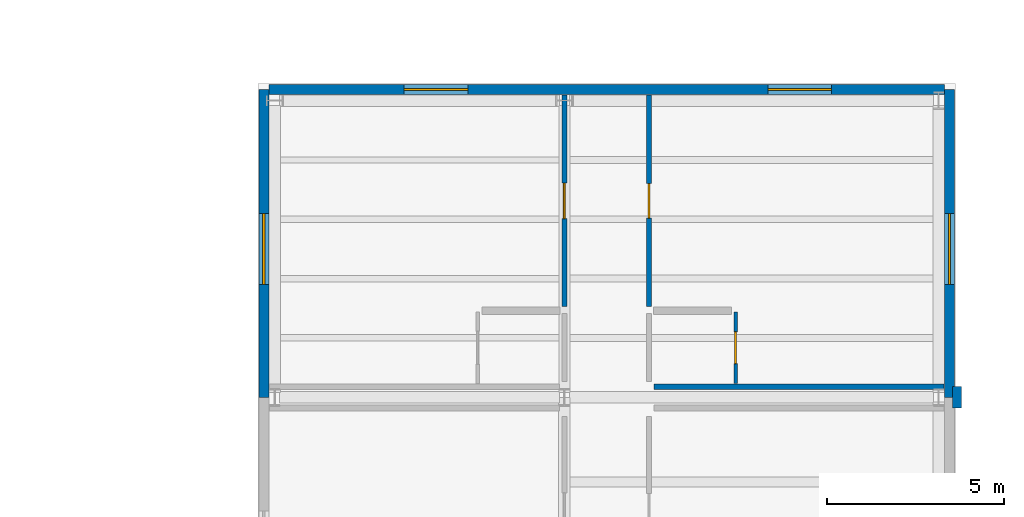
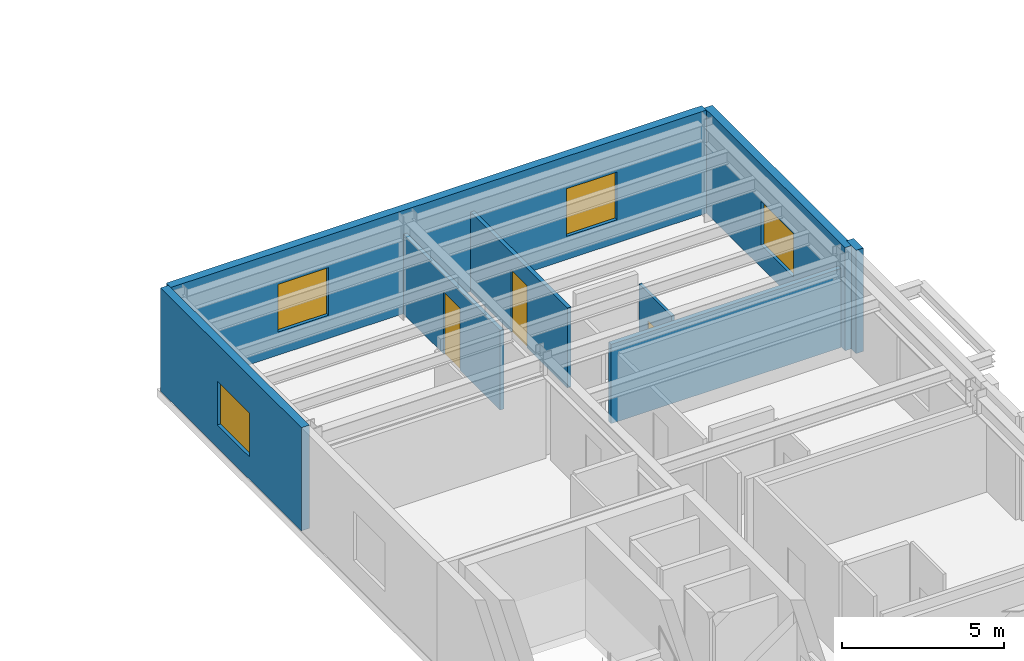
# One storey, part 51 of 59: 8 walls, 4 windows, 3 doors, 7 openings.
"""IFC4 building model written with IfcOpenShell, lengths in metres."""

from ifc_helpers import new_model, si_unit, direction, frame, frame_2d, origin, place, context, subcontext, project, spatial, rectangle, extrude, material, layer, layer_set, type_object, element, fill, save


model = new_model("IFC4")

# Units and contexts
model_context = context("Model", 3, precision=1e-05, world=origin(), true_north=direction((0.0, 1.0)))
body_context = subcontext(model_context, "Body", "Model", "MODEL_VIEW")
ifc_project = project(units=[si_unit("LENGTHUNIT", "METRE"), si_unit("AREAUNIT", "SQUARE_METRE"), si_unit("VOLUMEUNIT", "CUBIC_METRE"), si_unit("PLANEANGLEUNIT", "RADIAN"), si_unit("MASSUNIT", "GRAM", prefix="KILO")], contexts=[model_context])

# Site, building, storey
site_placement = place(None, origin())
site = spatial("IfcSite", under=ifc_project, at=site_placement, CompositionType="ELEMENT")
building_placement = place(site_placement, origin())
building = spatial("IfcBuilding", under=site, at=building_placement, Name="Sollismere Congress Hotel", CompositionType="ELEMENT")
storey_placement = place(building_placement, frame((0.0, 0.0, 15.60009765625)))
storey = spatial("IfcBuildingStorey", under=building, at=storey_placement, Name="L03", CompositionType="ELEMENT", Elevation=15.60009765625)

# Wall, opening, window
ifc_material_1 = material(Name="Colorado Buff Sandstone Rainscreen on Insulated Backup", Category="masonry")
ifc_layer_1 = layer(ifc_material_1, 0.284912109375, Name="Colorado Buff Sandstone Rainscreen on Insulated Backup")
ifc_layer_set_1 = layer_set([ifc_layer_1], Name="Colorado Buff Sandstone Rainscreen on Insulated Backup")
wall_type_1 = type_object("IfcWallType", Name="WL-EXT285", PredefinedType="STANDARD", material=ifc_layer_set_1)
wall_1_placement = place(storey_placement, frame((166.31005859375, 58.39990234375, 0.0), z_axis=(0.0, 0.0, 1.0), x_axis=(0.0, 1.0, 0.0)))
wall_1 = element("IfcWall", 1, at=wall_1_placement, inside=storey, type_object=wall_type_1, Name="Exterior wall EW-L03-453", PredefinedType="STANDARD", context=body_context, shape_type="SweptSolid", body=[
    extrude(rectangle(XDim=8.710205078125, YDim=0.284912109375, at=frame_2d((4.35498046875, 0.0))), origin(), (0.0, 0.0, 1.0), 3.89990234375),
])
opening_1_placement = place(wall_1_placement, frame((3.199951171875, 0.0, 0.85009765625)))
opening_1 = element("IfcOpeningElement", 2, at=opening_1_placement, cuts=wall_1, Name="Opening W-L03-346", PredefinedType="OPENING", context=body_context, shape_type="SweptSolid", body=[
    extrude(rectangle(XDim=2.0, YDim=1.64990234375, at=frame_2d((1.0, 0.824951171875))), frame((0.0, 0.15234375, 0.0), z_axis=(0.0, -1.0, 0.0), x_axis=(1.0, 0.0, 0.0)), (0.0, 0.0, 1.0), 0.304931640625),
])
ifc_material_2 = material(Name="Thermally Broken Bronze Aluminum & Low-E Glass", Category="aluminium")
window_type_1 = type_object("IfcWindowType", Name="WN-P200x165", PartitioningType="SINGLE_PANEL", PredefinedType="WINDOW", material=ifc_material_2)
window_1_placement = place(opening_1_placement, origin())
window_1 = element("IfcWindow", 3, at=window_1_placement, inside=storey, type_object=window_type_1, Name="WIN-W-L03-346", OverallHeight=1.64990234375, OverallWidth=2.0, PartitioningType="SINGLE_PANEL", PredefinedType="WINDOW", context=body_context, shape_type="SweptSolid", body=[
    extrude(rectangle(XDim=2.0, YDim=1.64990234375, at=frame_2d((1.0, 0.824951171875))), frame((0.0, 0.030029296875, 0.0), z_axis=(0.0, -1.0, 0.0), x_axis=(1.0, 0.0, 0.0)), (0.0, 0.0, 1.0), 0.06005859375),
])
fill(opening_1, window_1)

wall_2_placement = place(storey_placement, frame((146.889892578125, 58.39990234375, 0.0), z_axis=(0.0, 0.0, 1.0), x_axis=(0.0, 1.0, 0.0)))
wall_2 = element("IfcWall", 4, at=wall_2_placement, inside=storey, type_object=wall_type_1, Name="Exterior wall EW-L03-472", PredefinedType="STANDARD", context=body_context, shape_type="SweptSolid", body=[
    extrude(rectangle(XDim=8.710205078125, YDim=0.284912109375, at=frame_2d((4.35498046875, 0.0))), origin(), (0.0, 0.0, 1.0), 3.89990234375),
])
opening_2_placement = place(wall_2_placement, frame((3.199951171875, 0.0, 0.85009765625)))
opening_2 = element("IfcOpeningElement", 5, at=opening_2_placement, cuts=wall_2, Name="Opening W-L03-361", PredefinedType="OPENING", context=body_context, shape_type="SweptSolid", body=[
    extrude(rectangle(XDim=2.0, YDim=1.64990234375, at=frame_2d((1.0, 0.824951171875))), frame((0.0, 0.15234375, 0.0), z_axis=(0.0, -1.0, 0.0), x_axis=(1.0, 0.0, 0.0)), (0.0, 0.0, 1.0), 0.304931640625),
])
window_2_placement = place(opening_2_placement, origin())
window_2 = element("IfcWindow", 6, at=window_2_placement, inside=storey, type_object=window_type_1, Name="WIN-W-L03-361", OverallHeight=1.64990234375, OverallWidth=2.0, PartitioningType="SINGLE_PANEL", PredefinedType="WINDOW", context=body_context, shape_type="SweptSolid", body=[
    extrude(rectangle(XDim=2.0, YDim=1.64990234375, at=frame_2d((1.0, 0.824951171875))), frame((0.0, 0.030029296875, 0.0), z_axis=(0.0, -1.0, 0.0), x_axis=(1.0, 0.0, 0.0)), (0.0, 0.0, 1.0), 0.06005859375),
])
fill(opening_2, window_2)

# Wall, openings, windows
wall_3_placement = place(storey_placement, frame((166.16552734375, 67.110107421875, 0.0), z_axis=(0.0, 0.0, 1.0), x_axis=(-1.0, 0.0, 0.0)))
wall_3 = element("IfcWall", 7, at=wall_3_placement, inside=storey, type_object=wall_type_1, Name="Exterior wall EW-L03-475", PredefinedType="STANDARD", context=body_context, shape_type="SweptSolid", body=[
    extrude(rectangle(XDim=19.131103515625, YDim=0.284912109375, at=frame_2d((9.5654296875, 0.0))), origin(), (0.0, 0.0, 1.0), 3.89990234375),
])
opening_3_placement = place(wall_3_placement, frame((3.199951171875, 0.0, 0.8798828125)))
opening_3 = element("IfcOpeningElement", 8, at=opening_3_placement, cuts=wall_3, Name="Opening W-L03-364", PredefinedType="OPENING", context=body_context, shape_type="SweptSolid", body=[
    extrude(rectangle(XDim=1.800048828125, YDim=1.800048828125, at=frame_2d((0.89990234375, 0.89990234375))), frame((0.0, 0.15234375, 0.0), z_axis=(0.0, -1.0, 0.0), x_axis=(1.0, 0.0, 0.0)), (0.0, 0.0, 1.0), 0.304931640625),
])
opening_4_placement = place(wall_3_placement, frame((13.5, 0.0, 0.8798828125)))
opening_4 = element("IfcOpeningElement", 9, at=opening_4_placement, cuts=wall_3, Name="Opening W-L03-365", PredefinedType="OPENING", context=body_context, shape_type="SweptSolid", body=[
    extrude(rectangle(XDim=1.800048828125, YDim=1.800048828125, at=frame_2d((0.89990234375, 0.89990234375))), frame((0.0, 0.15234375, 0.0), z_axis=(0.0, -1.0, 0.0), x_axis=(1.0, 0.0, 0.0)), (0.0, 0.0, 1.0), 0.304931640625),
])
window_type_2 = type_object("IfcWindowType", Name="WN-P180x180", PartitioningType="SINGLE_PANEL", PredefinedType="WINDOW", material=ifc_material_2)
window_3_placement = place(opening_3_placement, origin())
window_3 = element("IfcWindow", 10, at=window_3_placement, inside=storey, type_object=window_type_2, Name="WIN-W-L03-364", OverallHeight=1.800048828125, OverallWidth=1.800048828125, PartitioningType="SINGLE_PANEL", PredefinedType="WINDOW", context=body_context, shape_type="SweptSolid", body=[
    extrude(rectangle(XDim=1.800048828125, YDim=1.800048828125, at=frame_2d((0.89990234375, 0.89990234375))), frame((0.0, 0.030029296875, 0.0), z_axis=(0.0, -1.0, 0.0), x_axis=(1.0, 0.0, 0.0)), (0.0, 0.0, 1.0), 0.06005859375),
])
fill(opening_3, window_3)
window_4_placement = place(opening_4_placement, origin())
window_4 = element("IfcWindow", 11, at=window_4_placement, inside=storey, type_object=window_type_2, Name="WIN-W-L03-365", OverallHeight=1.800048828125, OverallWidth=1.800048828125, PartitioningType="SINGLE_PANEL", PredefinedType="WINDOW", context=body_context, shape_type="SweptSolid", body=[
    extrude(rectangle(XDim=1.800048828125, YDim=1.800048828125, at=frame_2d((0.89990234375, 0.89990234375))), frame((0.0, 0.030029296875, 0.0), z_axis=(0.0, -1.0, 0.0), x_axis=(1.0, 0.0, 0.0)), (0.0, 0.0, 1.0), 0.06005859375),
])
fill(opening_4, window_4)

# Wall
ifc_material_3 = material(Name="Carved Travertine Pilaster & Frieze Assembly", Category="masonry")
ifc_layer_2 = layer(ifc_material_3, 0.260009765625, Name="Carved Travertine Pilaster & Frieze Assembly")
ifc_layer_set_2 = layer_set([ifc_layer_2], Name="Carved Travertine Pilaster & Frieze Assembly")
wall_type_2 = type_object("IfcWallType", Name="WL-PIL280", PredefinedType="ELEMENTEDWALL", material=ifc_layer_set_2)
wall_4_placement = place(storey_placement, frame((166.52001953125, 58.10009765625, 0.0), z_axis=(0.0, 0.0, 1.0), x_axis=(0.0, 1.0, 0.0)))
element("IfcWall", 12, at=wall_4_placement, inside=storey, type_object=wall_type_2, Name="Exterior wall EW-L03-454", PredefinedType="ELEMENTEDWALL", context=body_context, shape_type="SweptSolid", body=[
    extrude(rectangle(XDim=0.599853515625, YDim=0.260009765625, at=frame_2d((0.2998046875, 0.0))), origin(), (0.0, 0.0, 1.0), 3.89990234375),
])

# Wall, opening, door
ifc_material_4 = material(Name="Moisture-Resistant Gypsum Partition")
ifc_layer_3 = layer(ifc_material_4, 0.10009765625, Name="Moisture-Resistant Gypsum Partition")
ifc_layer_set_3 = layer_set([ifc_layer_3], Name="Moisture-Resistant Gypsum Partition")
wall_type_3 = type_object("IfcWallType", Name="WL-PRT100", PredefinedType="PARTITIONING", material=ifc_layer_set_3)
wall_5_placement = place(storey_placement, frame((160.25, 58.79443359375, 0.0), z_axis=(0.0, 0.0, 1.0), x_axis=(0.0, 1.0, 0.0)))
wall_5 = element("IfcWall", 13, at=wall_5_placement, inside=storey, type_object=wall_type_3, Name="Interior wall IW-L03-1429", PredefinedType="PARTITIONING", context=body_context, shape_type="SweptSolid", body=[
    extrude(rectangle(XDim=2.015625, YDim=0.10009765625, at=frame_2d((1.0078125, 0.0))), origin(), (0.0, 0.0, 1.0), 3.157958984375),
])
opening_5_placement = place(wall_5_placement, frame((0.554931640625, 0.0, 0.0)))
opening_5 = element("IfcOpeningElement", 14, at=opening_5_placement, cuts=wall_5, Name="Opening D-L03-0504", PredefinedType="OPENING", context=body_context, shape_type="SweptSolid", body=[
    extrude(rectangle(XDim=0.905029296875, YDim=2.10009765625, at=frame_2d((0.45263671875, 1.050048828125))), frame((0.0, 0.06005859375, 0.0), z_axis=(0.0, -1.0, 0.0), x_axis=(1.0, 0.0, 0.0)), (0.0, 0.0, 1.0), 0.1201171875),
])
ifc_material_5 = material(Name="Moisture-Sealed Timber Bathroom Door", Category="wood")
door_type_1 = type_object("IfcDoorType", Name="DR-BT02", OperationType="NOTDEFINED", PredefinedType="DOOR", material=ifc_material_5)
door_1_placement = place(opening_5_placement, origin())
door_1 = element("IfcDoor", 15, at=door_1_placement, inside=storey, type_object=door_type_1, Name="En-suite bathroom door D-L03-0504", OperationType="SINGLE_SWING_LEFT", OverallHeight=2.10009765625, OverallWidth=0.905029296875, PredefinedType="DOOR", context=body_context, shape_type="SweptSolid", body=[
    extrude(rectangle(XDim=0.905029296875, YDim=2.10009765625, at=frame_2d((0.45263671875, 1.050048828125))), frame((0.0, 0.02490234375, 0.0), z_axis=(0.0, -1.0, 0.0), x_axis=(1.0, 0.0, 0.0)), (0.0, 0.0, 1.0), 0.050048828125),
])
fill(opening_5, door_1)

ifc_material_6 = material(Name="Fire-Rated Gypsum Partition")
ifc_layer_4 = layer(ifc_material_6, 0.139892578125, Name="Fire-Rated Gypsum Partition")
ifc_layer_set_4 = layer_set([ifc_layer_4], Name="Fire-Rated Gypsum Partition")
wall_type_4 = type_object("IfcWallType", Name="WL-PRT140R", PredefinedType="PARTITIONING", material=ifc_layer_set_4)
wall_6_placement = place(storey_placement, frame((157.800048828125, 60.969970703125, 0.0), z_axis=(0.0, 0.0, 1.0), x_axis=(0.0, 1.0, 0.0)))
wall_6 = element("IfcWall", 16, at=wall_6_placement, inside=storey, type_object=wall_type_4, Name="Interior wall IW-L03-1426", PredefinedType="PARTITIONING", context=body_context, shape_type="SweptSolid", body=[
    extrude(rectangle(XDim=5.982421875, YDim=0.139892578125, at=frame_2d((2.9912109375, 0.0))), origin(), (0.0, 0.0, 1.0), 3.012939453125),
])
opening_6_placement = place(wall_6_placement, frame((2.5009765625, 0.0, 0.0)))
opening_6 = element("IfcOpeningElement", 17, at=opening_6_placement, cuts=wall_6, Name="Opening D-L03-0503", PredefinedType="OPENING", context=body_context, shape_type="SweptSolid", body=[
    extrude(rectangle(XDim=0.97998046875, YDim=2.35009765625, at=frame_2d((0.489990234375, 1.175048828125))), frame((0.0, 0.079833984375, 0.0), z_axis=(0.0, -1.0, 0.0), x_axis=(1.0, 0.0, 0.0)), (0.0, 0.0, 1.0), 0.159912109375),
])
ifc_material_7 = material(Name="Solid-Core Acoustic Walnut Guestroom Entry Door")
door_type_2 = type_object("IfcDoorType", Name="DR-KY09", OperationType="NOTDEFINED", PredefinedType="DOOR", material=ifc_material_7)
door_2_placement = place(opening_6_placement, origin())
door_2 = element("IfcDoor", 18, at=door_2_placement, inside=storey, type_object=door_type_2, Name="Hotel room entry door D-L03-0503", OperationType="SINGLE_SWING_RIGHT", OverallHeight=2.35009765625, OverallWidth=0.97998046875, PredefinedType="DOOR", context=body_context, shape_type="SweptSolid", body=[
    extrude(rectangle(XDim=0.97998046875, YDim=2.35009765625, at=frame_2d((0.489990234375, 1.175048828125))), frame((0.0, 0.02490234375, 0.0), z_axis=(0.0, -1.0, 0.0), x_axis=(1.0, 0.0, 0.0)), (0.0, 0.0, 1.0), 0.050048828125),
])
fill(opening_6, door_2)

wall_7_placement = place(storey_placement, frame((155.39990234375, 60.969970703125, 0.0), z_axis=(0.0, 0.0, 1.0), x_axis=(0.0, 1.0, 0.0)))
wall_7 = element("IfcWall", 19, at=wall_7_placement, inside=storey, type_object=wall_type_4, Name="Interior wall IW-L03-1431", PredefinedType="PARTITIONING", context=body_context, shape_type="SweptSolid", body=[
    extrude(rectangle(XDim=5.982421875, YDim=0.139892578125, at=frame_2d((2.9912109375, 0.0))), origin(), (0.0, 0.0, 1.0), 3.012939453125),
])
opening_7_placement = place(wall_7_placement, frame((2.486083984375, 0.0, 0.0)))
opening_7 = element("IfcOpeningElement", 20, at=opening_7_placement, cuts=wall_7, Name="Opening D-L03-0505", PredefinedType="OPENING", context=body_context, shape_type="SweptSolid", body=[
    extrude(rectangle(XDim=1.010009765625, YDim=2.35009765625, at=frame_2d((0.5048828125, 1.175048828125))), frame((0.0, 0.079833984375, 0.0), z_axis=(0.0, -1.0, 0.0), x_axis=(1.0, 0.0, 0.0)), (0.0, 0.0, 1.0), 0.159912109375),
])
door_type_3 = type_object("IfcDoorType", Name="DR-KY10", OperationType="NOTDEFINED", PredefinedType="DOOR", material=ifc_material_7)
door_3_placement = place(opening_7_placement, origin())
door_3 = element("IfcDoor", 21, at=door_3_placement, inside=storey, type_object=door_type_3, Name="Hotel room entry door D-L03-0505", OperationType="SINGLE_SWING_RIGHT", OverallHeight=2.35009765625, OverallWidth=1.010009765625, PredefinedType="DOOR", context=body_context, shape_type="SweptSolid", body=[
    extrude(rectangle(XDim=1.010009765625, YDim=2.35009765625, at=frame_2d((0.5048828125, 1.175048828125))), frame((0.0, 0.02490234375, 0.0), z_axis=(0.0, -1.0, 0.0), x_axis=(1.0, 0.0, 0.0)), (0.0, 0.0, 1.0), 0.050048828125),
])
fill(opening_7, door_3)

# Wall
ifc_material_8 = material(Name="Fire-Rated Acoustic Gypsum Partition")
ifc_layer_5 = layer(ifc_material_8, 0.1650390625, Name="Fire-Rated Acoustic Gypsum Partition")
ifc_layer_set_5 = layer_set([ifc_layer_5], Name="Fire-Rated Acoustic Gypsum Partition")
wall_type_5 = type_object("IfcWallType", Name="WL-PRT165R", PredefinedType="PARTITIONING", material=ifc_layer_set_5)
wall_8_placement = place(storey_placement, frame((157.93994140625, 58.699951171875, 0.0), z_axis=(0.0, 0.0, 1.0), x_axis=(1.0, 0.0, 0.0)))
element("IfcWall", 22, at=wall_8_placement, inside=storey, type_object=wall_type_5, Name="Interior wall IW-L03-1427", PredefinedType="PARTITIONING", context=body_context, shape_type="SweptSolid", body=[
    extrude(rectangle(XDim=8.212646484375, YDim=0.1650390625, at=frame_2d((4.1064453125, 0.0))), origin(), (0.0, 0.0, 1.0), 2.989990234375),
])

save(model, "model.ifc")
